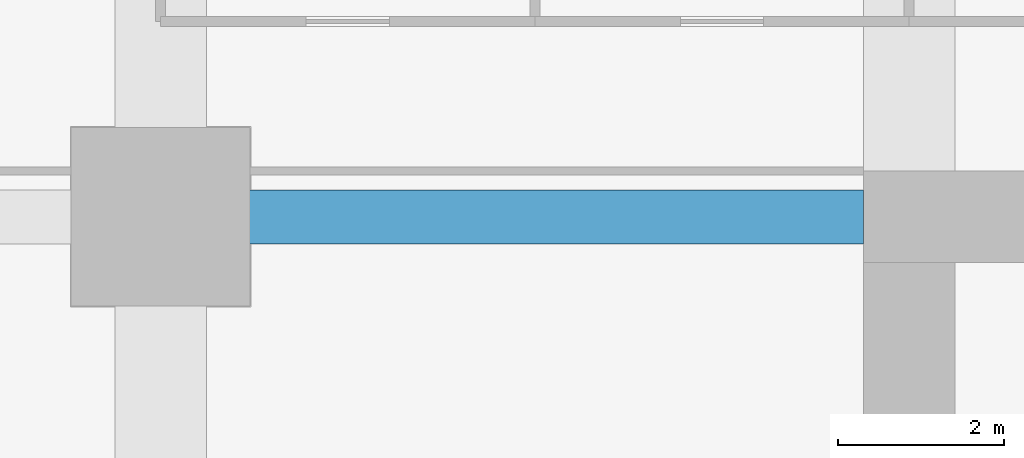
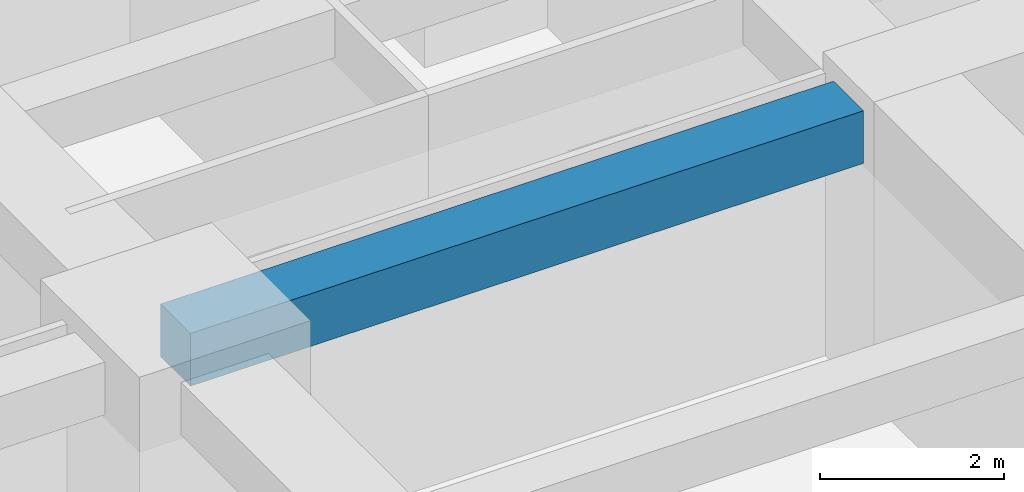
# One storey, part 25 of 41: 1 beam.
"""IFC4 building model written with IfcOpenShell, lengths in metres."""

import ifcopenshell
import ifcopenshell.guid

model = None  # the IFC model being written
_history = None  # IfcOwnerHistory: only IFC2X3 demands one
_inside = {}  # id of a spatial element -> (the spatial element, [elements in it])
_under = {}  # id of a project, library or spatial element -> (it, [spatial elements below it])
_declared = {}  # id of a project -> (the project, [libraries it declares])
_typed = {}  # id of a type object -> (the type object, [elements of that type])
_made_of = {}  # id of a material, layer set ... -> (it, [elements and type objects made of it])


def new_model(schema):
    """Start an empty IFC model of exactly this schema.

    Asked for "IFC4X3", IfcOpenShell would pick the latest addendum, in which some entities
    have other attributes; the version numbers below select the first issue.
    IFC2X3 requires an IfcOwnerHistory on every rooted entity: one is made here for all.
    """
    global model, _history
    if schema == "IFC4X3":
        model = ifcopenshell.file(schema_version=(4, 3, 0, 0))
    else:
        model = ifcopenshell.file(schema=schema)
    _inside.clear()
    _under.clear()
    _declared.clear()
    _typed.clear()
    _made_of.clear()
    _history = None
    if model.schema == "IFC2X3":
        org = make("IfcOrganization", Name="unknown")
        user = make(
            "IfcPersonAndOrganization",
            ThePerson=make("IfcPerson", FamilyName="unknown"),
            TheOrganization=org,
        )
        app = make(
            "IfcApplication",
            ApplicationDeveloper=org,
            Version="unknown",
            ApplicationFullName="unknown",
            ApplicationIdentifier="unknown",
        )
        _history = make(
            "IfcOwnerHistory",
            OwningUser=user,
            OwningApplication=app,
            ChangeAction="ADDED",
            CreationDate=0,
        )
    return model


def make(cls, **values):
    """One entity of the class cls with the attributes given. An attribute that is None is left unset."""
    return model.create_entity(
        cls, **{name: value for name, value in values.items() if value is not None}
    )


def rooted(cls, **values):
    """An entity with a GlobalId (a new one), such as an element, a storey or a relation."""
    return make(cls, GlobalId=ifcopenshell.guid.new(), OwnerHistory=_history, **values)


def si_unit(unit_type, name, prefix=None):
    """IfcSIUnit, for example si_unit("LENGTHUNIT", "METRE", prefix="MILLI")."""
    return make("IfcSIUnit", UnitType=unit_type, Prefix=prefix, Name=name)


def assignment(units):
    """IfcUnitAssignment: the units of a project."""
    return None if units is None else make("IfcUnitAssignment", Units=units)


def point(xyz):
    """IfcCartesianPoint."""
    return None if xyz is None else make("IfcCartesianPoint", Coordinates=xyz)


def direction(xyz):
    """IfcDirection."""
    return None if xyz is None else make("IfcDirection", DirectionRatios=xyz)


def frame(location, z_axis=None, x_axis=None):
    """IfcAxis2Placement3D, a coordinate frame: its origin and axes. An axis left out is left unset."""
    return make(
        "IfcAxis2Placement3D",
        Location=point(location),
        Axis=direction(z_axis),
        RefDirection=direction(x_axis),
    )


def frame_2d(location, x_axis=None):
    """IfcAxis2Placement2D, a coordinate frame in the plane: its origin and x axis."""
    return make(
        "IfcAxis2Placement2D", Location=point(location), RefDirection=direction(x_axis)
    )


def origin():
    """The frame at (0, 0, 0) with its axes left unset."""
    return frame((0.0, 0.0, 0.0))


def origin_2d():
    """The frame at (0, 0) in the plane with its x axis left unset."""
    return frame_2d((0.0, 0.0))


def place(relative_to, where):
    """IfcLocalPlacement: puts the frame where relative to a parent placement (None: the world)."""
    return make(
        "IfcLocalPlacement", PlacementRelTo=relative_to, RelativePlacement=where
    )


def context(
    kind, dimensions, precision=None, world=None, true_north=None, identifier=None
):
    """IfcGeometricRepresentationContext, for example the 3D "Model" context."""
    return make(
        "IfcGeometricRepresentationContext",
        ContextIdentifier=identifier,
        ContextType=kind,
        CoordinateSpaceDimension=dimensions,
        Precision=precision,
        WorldCoordinateSystem=world,
        TrueNorth=true_north,
    )


def subcontext(parent, identifier, kind, view, scale=None):
    """IfcGeometricRepresentationSubContext, for example "Body" below "Model"."""
    return make(
        "IfcGeometricRepresentationSubContext",
        ContextIdentifier=identifier,
        ContextType=kind,
        ParentContext=parent,
        TargetScale=scale,
        TargetView=view,
    )


def project(units=None, contexts=None):
    """IfcProject with its units and contexts."""
    return rooted(
        "IfcProject",
        Name="project",
        RepresentationContexts=contexts,
        UnitsInContext=assignment(units),
    )


def spatial(cls, under=None, at=None, **own):
    """A site, building, storey or space (cls), placed at a placement, below another one or the project."""
    s = rooted(cls, ObjectPlacement=at, **own)
    if under is not None:
        _under.setdefault(under.id(), (under, []))[1].append(s)
    return s


def profile(cls, at=None, kind="AREA", **sizes):
    """A parametric profile (cls). Its sizes go by their IFC names, for example OverallWidth=200.0."""
    return make(cls, ProfileType=kind, Position=at, **sizes)


def rectangle(**sizes):
    """IfcRectangleProfileDef."""
    return profile("IfcRectangleProfileDef", **sizes)


def extrude(swept, where, along, depth):
    """IfcExtrudedAreaSolid: the profile swept, set in the frame where, extruded along a direction by depth."""
    return make(
        "IfcExtrudedAreaSolid",
        SweptArea=swept,
        Position=where,
        ExtrudedDirection=direction(along),
        Depth=depth,
    )


def shape(context_of_items, identifier, shape_type, items):
    """IfcShapeRepresentation: the items that make up one representation, for example the "Body"."""
    return make(
        "IfcShapeRepresentation",
        ContextOfItems=context_of_items,
        RepresentationIdentifier=identifier,
        RepresentationType=shape_type,
        Items=items,
    )


def material(Name=None, Category=None):
    """IfcMaterial."""
    return make("IfcMaterial", Name=Name, Category=Category)


def material_profile(
    of_material, cross_section, Name=None, Category=None, Priority=None
):
    """IfcMaterialProfile: a cross section and its material."""
    return make(
        "IfcMaterialProfile",
        Name=Name,
        Material=of_material,
        Profile=cross_section,
        Priority=Priority,
        Category=Category,
    )


def profile_set(profiles, Name=None, composite=None):
    """IfcMaterialProfileSet."""
    return make(
        "IfcMaterialProfileSet",
        Name=Name,
        MaterialProfiles=profiles,
        CompositeProfile=composite,
    )


def made_of(thing, what):
    """Note that an element or type object is made of a material, layer set ...; save() writes the relation."""
    if what is not None:
        _made_of.setdefault(what.id(), (what, []))[1].append(thing)
    return thing


def type_object(cls, material=None, **own):
    """A type object (cls), such as IfcWallType, which elements share."""
    return made_of(rooted(cls, **own), material)


def element(
    cls,
    number,
    at=None,
    inside=None,
    cuts=None,
    type_object=None,
    material=None,
    context=None,
    identifier="Body",
    shape_type=None,
    held_by="IfcProductDefinitionShape",
    body=None,
    shapes=None,
    **own,
):
    """One element of the class cls, such as IfcWall. Its Tag is "e" and its number.

    at: its placement. inside: the storey or other place that contains it. cuts: it is an
    opening in that element (IfcRelVoidsElement). A single representation is given by context,
    identifier, shape_type and body (its items); several are given by shapes. held_by: the class
    of the entity that holds the representations. save() writes the other relations.
    """
    e = rooted(cls, Tag="e%d" % number, ObjectPlacement=at, **own)
    if body is not None:
        shapes = [shape(context, identifier, shape_type, body)]
    if shapes is not None:
        e.Representation = make(held_by, Representations=shapes)
    if inside is not None:
        _inside.setdefault(inside.id(), (inside, []))[1].append(e)
    if cuts is not None:
        rooted(
            "IfcRelVoidsElement", RelatingBuildingElement=cuts, RelatedOpeningElement=e
        )
    if type_object is not None:
        _typed.setdefault(type_object.id(), (type_object, []))[1].append(e)
    return made_of(e, material)


def aggregate(whole, parts):
    """IfcRelAggregates: a whole, such as a stair, and the parts it consists of."""
    return rooted("IfcRelAggregates", RelatingObject=whole, RelatedObjects=parts)


def save(model, path):
    """Write the relations noted so far, then the file.

    IfcRelAggregates (storeys below a building ...), IfcRelContainedInSpatialStructure (elements
    in a storey), IfcRelDefinesByType, IfcRelAssociatesMaterial and IfcRelDeclares: one each for
    every whole, place, type object, material and project.
    """
    for whole, parts in _under.values():
        aggregate(whole, parts)
    for where, things in _inside.values():
        rooted(
            "IfcRelContainedInSpatialStructure",
            RelatedElements=things,
            RelatingStructure=where,
        )
    for kind, things in _typed.values():
        rooted("IfcRelDefinesByType", RelatedObjects=things, RelatingType=kind)
    for what, things in _made_of.values():
        rooted("IfcRelAssociatesMaterial", RelatedObjects=things, RelatingMaterial=what)
    for by, libraries in _declared.values():
        rooted("IfcRelDeclares", RelatingContext=by, RelatedDefinitions=libraries)
    model.write(path)


model = new_model("IFC4")

# Units and contexts
model_context = context("Model", 3, precision=1e-05, world=origin(), true_north=direction((0.0, 1.0)))
body_context = subcontext(model_context, "Body", "Model", "MODEL_VIEW")
ifc_project = project(units=[si_unit("LENGTHUNIT", "METRE"), si_unit("AREAUNIT", "SQUARE_METRE"), si_unit("VOLUMEUNIT", "CUBIC_METRE"), si_unit("PLANEANGLEUNIT", "RADIAN"), si_unit("MASSUNIT", "GRAM", prefix="KILO")], contexts=[model_context])

# Site, building, storey
site_placement = place(None, origin())
site = spatial("IfcSite", under=ifc_project, at=site_placement, CompositionType="ELEMENT")
building_placement = place(site_placement, origin())
building = spatial("IfcBuilding", under=site, at=building_placement, Name="Zorevar Civic Tower", CompositionType="ELEMENT")
storey_placement = place(building_placement, frame((0.0, 0.0, 89.0)))
storey = spatial("IfcBuildingStorey", under=building, at=storey_placement, Name="L21", CompositionType="ELEMENT", Elevation=89.0)

# Beam
ifc_material = material(Name="Concrete C50/60", Category="concrete")
ifc_material_profile = material_profile(ifc_material, rectangle(XDim=0.64990234375, YDim=0.699951171875, at=origin_2d()), Name="RC 650x700")
ifc_profile_set = profile_set([ifc_material_profile], Name="Concrete C50/60")
beam_type = type_object("IfcBeamType", Name="Beam RC 650x700", PredefinedType="BEAM", material=ifc_profile_set)
beam_placement = place(storey_placement, frame((9.0, 36.0, 3.39990234375), z_axis=(1.0, 0.0, 0.0), x_axis=(0.0, 1.0, 0.0)))
element("IfcBeam", 1, at=beam_placement, inside=storey, type_object=beam_type, Name="Girder L22", PredefinedType="BEAM", context=body_context, shape_type="SweptSolid", body=[
    extrude(rectangle(XDim=0.64990234375, YDim=0.699951171875, at=origin_2d()), origin(), (0.0, 0.0, 1.0), 8.449951171875),
])

save(model, "model.ifc")
